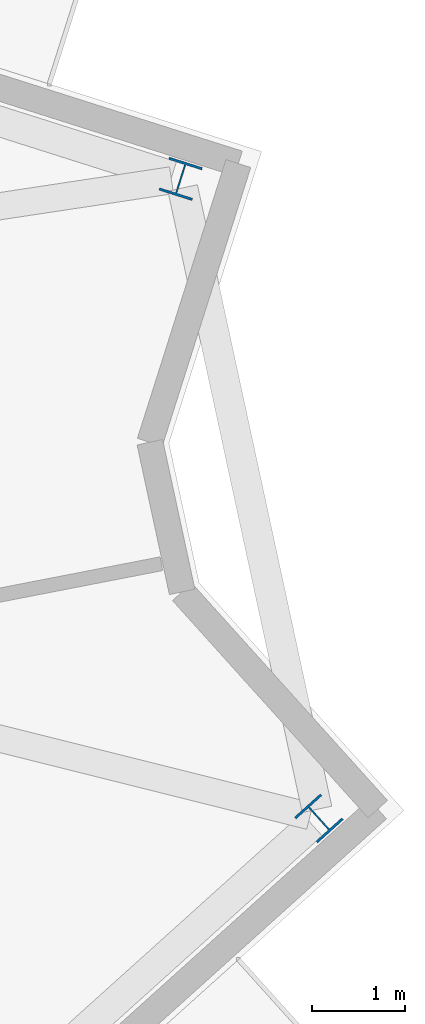
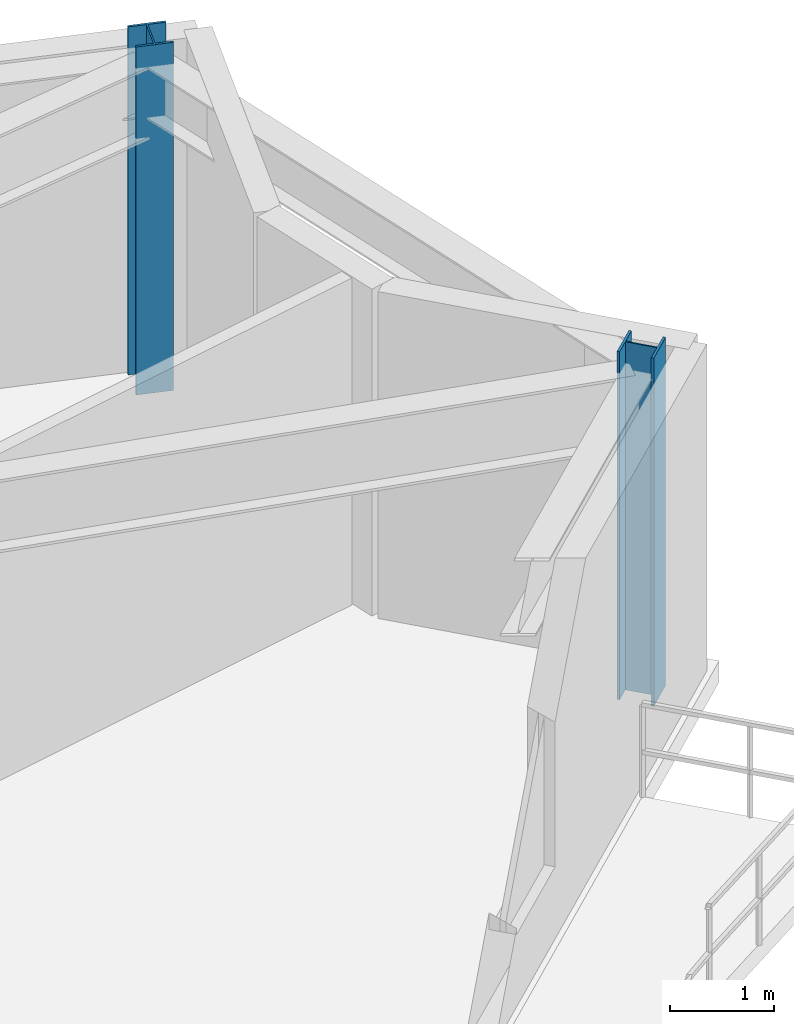
# One storey, part 3 of 12: 2 columns.
"""IFC4 building model written with IfcOpenShell, lengths in metres."""

from ifc_helpers import new_model, si_unit, direction, frame, origin, origin_2d, place, context, subcontext, project, spatial, i_section, extrude, material, material_profile, profile_set, type_object, element, save


model = new_model("IFC4")

# Units and contexts
model_context = context("Model", 3, precision=1e-05, world=origin(), true_north=direction((0.0, 1.0)))
body_context = subcontext(model_context, "Body", "Model", "MODEL_VIEW")
ifc_project = project(units=[si_unit("LENGTHUNIT", "METRE"), si_unit("AREAUNIT", "SQUARE_METRE"), si_unit("VOLUMEUNIT", "CUBIC_METRE"), si_unit("PLANEANGLEUNIT", "RADIAN"), si_unit("MASSUNIT", "GRAM", prefix="KILO")], contexts=[model_context])

# Site, building, storey
site_placement = place(None, origin())
site = spatial("IfcSite", under=ifc_project, at=site_placement, CompositionType="ELEMENT")
building_placement = place(site_placement, origin())
building = spatial("IfcBuilding", under=site, at=building_placement, Name="Apsidion Concourse Tower", CompositionType="ELEMENT")
storey_placement = place(building_placement, frame((0.0, 0.0, 240.39990234375)))
storey = spatial("IfcBuildingStorey", under=building, at=storey_placement, Name="L56", CompositionType="ELEMENT", Elevation=240.39990234375)

# Columns
ifc_material = material(Name="Structural steel ASTM A992 Grade 50", Category="steel")
ifc_material_profile = material_profile(ifc_material, i_section(OverallWidth=0.373046875, OverallDepth=0.373046875, WebThickness=0.016357421875, FlangeThickness=0.026123046875, at=origin_2d()), Name="W14X132")
ifc_profile_set = profile_set([ifc_material_profile], Name="Structural steel ASTM A992 Grade 50")
column_type = type_object("IfcColumnType", Name="COL-W14-132", PredefinedType="COLUMN", material=ifc_profile_set)
for number, where, z_axis, x_axis, name in (
    (1, (30.300537109375, 2.81591796875, 0.0), (0.0, 0.0, 1.0), (0.743144825477, 0.669130606359, 0.0), "L56 Rotated Perimeter Column PC08"),
    (2, (28.811279296875, 9.705810546875, 0.0), (0.0, 0.0, 1.0), (-0.953137879774, 0.3025362493, 0.0), "L56 Rotated Perimeter Column PC09"),
):
    element("IfcColumn", number, at=place(storey_placement, frame(where, z_axis=z_axis, x_axis=x_axis)), inside=storey, type_object=column_type, Name=name, PredefinedType="COLUMN", context=body_context, shape_type="SweptSolid", body=[
        extrude(i_section(OverallWidth=0.373046875, OverallDepth=0.373046875, WebThickness=0.016357421875, FlangeThickness=0.026123046875, at=origin_2d()), origin(), (0.0, 0.0, 1.0), 4.10009765625),
    ])

save(model, "model.ifc")
